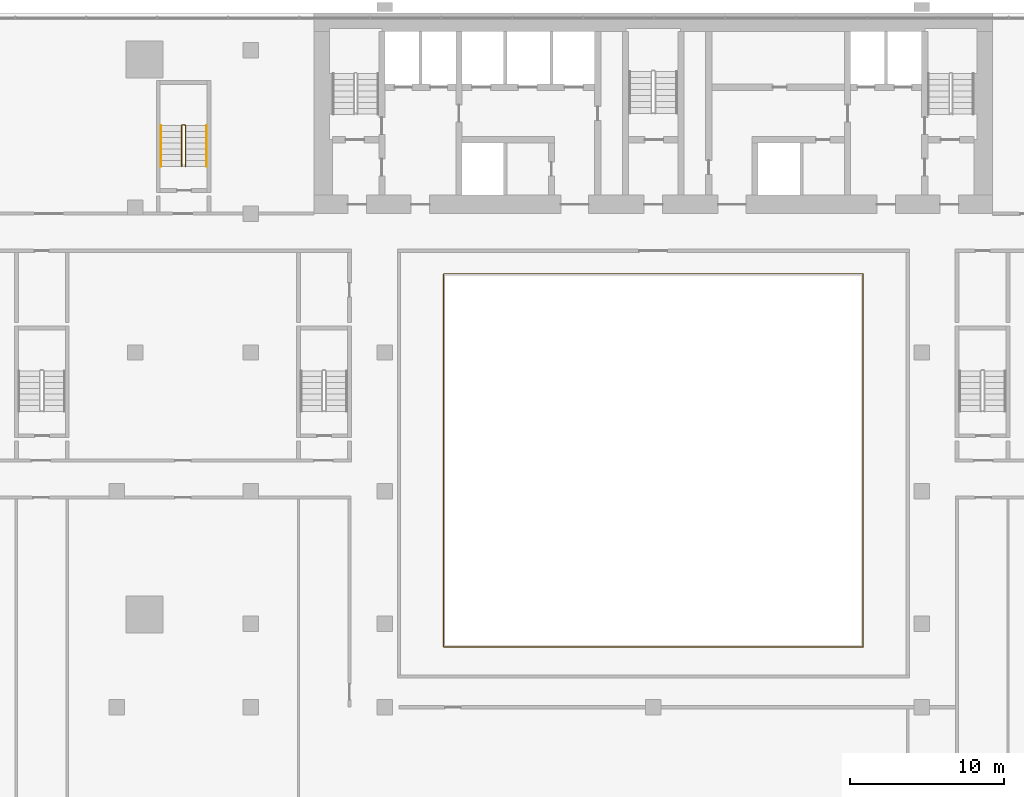
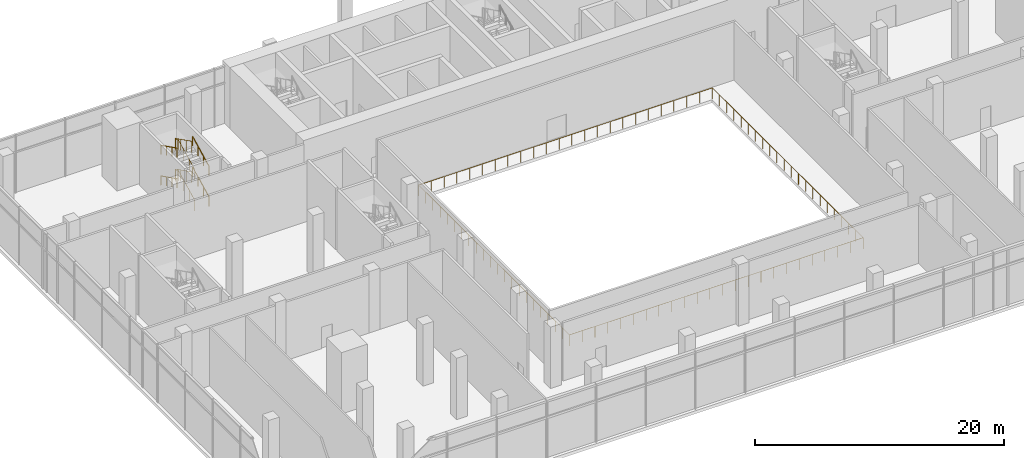
# One storey, part 19 of 22: 7 railings.
"""IFC4 building model written with IfcOpenShell, lengths in metres."""

from ifc_helpers import new_model, si_unit, direction, frame, origin, origin_2d, place, context, subcontext, project, spatial, circle, extrude, material, type_object, element, save


model = new_model("IFC4")

# Units and contexts
model_context = context("Model", 3, precision=1e-05, world=origin(), true_north=direction((0.0, 1.0)))
body_context = subcontext(model_context, "Body", "Model", "MODEL_VIEW")
ifc_project = project(units=[si_unit("LENGTHUNIT", "METRE"), si_unit("AREAUNIT", "SQUARE_METRE"), si_unit("VOLUMEUNIT", "CUBIC_METRE"), si_unit("PLANEANGLEUNIT", "RADIAN"), si_unit("MASSUNIT", "GRAM", prefix="KILO")], contexts=[model_context])

# Site, building, storey
site_placement = place(None, origin())
site = spatial("IfcSite", under=ifc_project, at=site_placement, CompositionType="ELEMENT")
building_placement = place(site_placement, origin())
building = spatial("IfcBuilding", under=site, at=building_placement, Name="Bicima Exchange Tower", CompositionType="ELEMENT")
storey_placement = place(building_placement, frame((0.0, 0.0, 14.0)))
storey = spatial("IfcBuildingStorey", under=building, at=storey_placement, Name="L02", CompositionType="ELEMENT", Elevation=14.0)

# Railings
ifc_material = material(Name="Stainless steel", Category="steel")
railing_type_1 = type_object("IfcRailingType", Name="Gallery guard 1100", PredefinedType="GUARDRAIL", material=ifc_material)
railing_1_placement = place(storey_placement, frame((-13.60009765625, -41.10009765625, 0.0)))
element("IfcRailing", 1, at=railing_1_placement, inside=storey, type_object=railing_type_1, Name="Exchange hall gallery guard", PredefinedType="GUARDRAIL", context=body_context, shape_type="SweptSolid", body=[
    extrude(circle(Radius=0.02392578125, at=origin_2d()), frame((0.0, 0.0, 1.076171875), z_axis=(1.0, 0.0, 0.0), x_axis=(0.0, 1.0, 0.0)), (0.0, 0.0, 1.0), 27.2001953125),
    extrude(circle(Radius=0.02392578125, at=origin_2d()), frame((27.2001953125, 0.0, 1.076171875), z_axis=(0.0, 1.0, 0.0), x_axis=(-1.0, 0.0, 0.0)), (0.0, 0.0, 1.0), 24.2001953125),
    extrude(circle(Radius=0.02392578125, at=origin_2d()), frame((27.2001953125, 24.2001953125, 1.076171875), z_axis=(-1.0, 0.0, 0.0), x_axis=(0.0, -1.0, 0.0)), (0.0, 0.0, 1.0), 27.2001953125),
    extrude(circle(Radius=0.02392578125, at=origin_2d()), frame((0.0, 24.2001953125, 1.076171875), z_axis=(0.0, -1.0, 0.0), x_axis=(1.0, 0.0, 0.0)), (0.0, 0.0, 1.0), 24.2001953125),
    extrude(circle(Radius=0.02099609375, at=origin_2d()), origin(), (0.0, 0.0, 1.0), 1.052001953125),
    extrude(circle(Radius=0.02099609375, at=origin_2d()), frame((1.1826171875, 0.0, 0.0)), (0.0, 0.0, 1.0), 1.052001953125),
    extrude(circle(Radius=0.02099609375, at=origin_2d()), frame((2.365234375, 0.0, 0.0)), (0.0, 0.0, 1.0), 1.052001953125),
    extrude(circle(Radius=0.02099609375, at=origin_2d()), frame((3.5478515625, 0.0, 0.0)), (0.0, 0.0, 1.0), 1.052001953125),
    extrude(circle(Radius=0.02099609375, at=origin_2d()), frame((4.73046875, 0.0, 0.0)), (0.0, 0.0, 1.0), 1.052001953125),
    extrude(circle(Radius=0.02099609375, at=origin_2d()), frame((5.9130859375, 0.0, 0.0)), (0.0, 0.0, 1.0), 1.052001953125),
    extrude(circle(Radius=0.02099609375, at=origin_2d()), frame((7.095703125, 0.0, 0.0)), (0.0, 0.0, 1.0), 1.052001953125),
    extrude(circle(Radius=0.02099609375, at=origin_2d()), frame((8.2783203125, 0.0, 0.0)), (0.0, 0.0, 1.0), 1.052001953125),
    extrude(circle(Radius=0.02099609375, at=origin_2d()), frame((9.4609375, 0.0, 0.0)), (0.0, 0.0, 1.0), 1.052001953125),
    extrude(circle(Radius=0.02099609375, at=origin_2d()), frame((10.6435546875, 0.0, 0.0)), (0.0, 0.0, 1.0), 1.052001953125),
    extrude(circle(Radius=0.02099609375, at=origin_2d()), frame((11.826171875, 0.0, 0.0)), (0.0, 0.0, 1.0), 1.052001953125),
    extrude(circle(Radius=0.02099609375, at=origin_2d()), frame((13.0087890625, 0.0, 0.0)), (0.0, 0.0, 1.0), 1.052001953125),
    extrude(circle(Radius=0.02099609375, at=origin_2d()), frame((14.19140625, 0.0, 0.0)), (0.0, 0.0, 1.0), 1.052001953125),
    extrude(circle(Radius=0.02099609375, at=origin_2d()), frame((15.3740234375, 0.0, 0.0)), (0.0, 0.0, 1.0), 1.052001953125),
    extrude(circle(Radius=0.02099609375, at=origin_2d()), frame((16.556640625, 0.0, 0.0)), (0.0, 0.0, 1.0), 1.052001953125),
    extrude(circle(Radius=0.02099609375, at=origin_2d()), frame((17.7392578125, 0.0, 0.0)), (0.0, 0.0, 1.0), 1.052001953125),
    extrude(circle(Radius=0.02099609375, at=origin_2d()), frame((18.921875, 0.0, 0.0)), (0.0, 0.0, 1.0), 1.052001953125),
    extrude(circle(Radius=0.02099609375, at=origin_2d()), frame((20.1044921875, 0.0, 0.0)), (0.0, 0.0, 1.0), 1.052001953125),
    extrude(circle(Radius=0.02099609375, at=origin_2d()), frame((21.287109375, 0.0, 0.0)), (0.0, 0.0, 1.0), 1.052001953125),
    extrude(circle(Radius=0.02099609375, at=origin_2d()), frame((22.4697265625, 0.0, 0.0)), (0.0, 0.0, 1.0), 1.052001953125),
    extrude(circle(Radius=0.02099609375, at=origin_2d()), frame((23.65234375, 0.0, 0.0)), (0.0, 0.0, 1.0), 1.052001953125),
    extrude(circle(Radius=0.02099609375, at=origin_2d()), frame((24.8349609375, 0.0, 0.0)), (0.0, 0.0, 1.0), 1.052001953125),
    extrude(circle(Radius=0.02099609375, at=origin_2d()), frame((26.017578125, 0.0, 0.0)), (0.0, 0.0, 1.0), 1.052001953125),
    extrude(circle(Radius=0.02099609375, at=origin_2d()), frame((27.2001953125, 0.0, 0.0)), (0.0, 0.0, 1.0), 1.052001953125),
    extrude(circle(Radius=0.02099609375, at=origin_2d()), frame((27.2001953125, 1.15234375, 0.0)), (0.0, 0.0, 1.0), 1.052001953125),
    extrude(circle(Radius=0.02099609375, at=origin_2d()), frame((27.2001953125, 2.3046875, 0.0)), (0.0, 0.0, 1.0), 1.052001953125),
    extrude(circle(Radius=0.02099609375, at=origin_2d()), frame((27.2001953125, 3.457275390625, 0.0)), (0.0, 0.0, 1.0), 1.052001953125),
    extrude(circle(Radius=0.02099609375, at=origin_2d()), frame((27.2001953125, 4.609619140625, 0.0)), (0.0, 0.0, 1.0), 1.052001953125),
    extrude(circle(Radius=0.02099609375, at=origin_2d()), frame((27.2001953125, 5.761962890625, 0.0)), (0.0, 0.0, 1.0), 1.052001953125),
    extrude(circle(Radius=0.02099609375, at=origin_2d()), frame((27.2001953125, 6.914306640625, 0.0)), (0.0, 0.0, 1.0), 1.052001953125),
    extrude(circle(Radius=0.02099609375, at=origin_2d()), frame((27.2001953125, 8.066650390625, 0.0)), (0.0, 0.0, 1.0), 1.052001953125),
    extrude(circle(Radius=0.02099609375, at=origin_2d()), frame((27.2001953125, 9.21923828125, 0.0)), (0.0, 0.0, 1.0), 1.052001953125),
    extrude(circle(Radius=0.02099609375, at=origin_2d()), frame((27.2001953125, 10.37158203125, 0.0)), (0.0, 0.0, 1.0), 1.052001953125),
    extrude(circle(Radius=0.02099609375, at=origin_2d()), frame((27.2001953125, 11.52392578125, 0.0)), (0.0, 0.0, 1.0), 1.052001953125),
    extrude(circle(Radius=0.02099609375, at=origin_2d()), frame((27.2001953125, 12.67626953125, 0.0)), (0.0, 0.0, 1.0), 1.052001953125),
    extrude(circle(Radius=0.02099609375, at=origin_2d()), frame((27.2001953125, 13.82861328125, 0.0)), (0.0, 0.0, 1.0), 1.052001953125),
    extrude(circle(Radius=0.02099609375, at=origin_2d()), frame((27.2001953125, 14.98095703125, 0.0)), (0.0, 0.0, 1.0), 1.052001953125),
    extrude(circle(Radius=0.02099609375, at=origin_2d()), frame((27.2001953125, 16.133544921875, 0.0)), (0.0, 0.0, 1.0), 1.052001953125),
    extrude(circle(Radius=0.02099609375, at=origin_2d()), frame((27.2001953125, 17.285888671875, 0.0)), (0.0, 0.0, 1.0), 1.052001953125),
    extrude(circle(Radius=0.02099609375, at=origin_2d()), frame((27.2001953125, 18.438232421875, 0.0)), (0.0, 0.0, 1.0), 1.052001953125),
    extrude(circle(Radius=0.02099609375, at=origin_2d()), frame((27.2001953125, 19.590576171875, 0.0)), (0.0, 0.0, 1.0), 1.052001953125),
    extrude(circle(Radius=0.02099609375, at=origin_2d()), frame((27.2001953125, 20.742919921875, 0.0)), (0.0, 0.0, 1.0), 1.052001953125),
    extrude(circle(Radius=0.02099609375, at=origin_2d()), frame((27.2001953125, 21.8955078125, 0.0)), (0.0, 0.0, 1.0), 1.052001953125),
    extrude(circle(Radius=0.02099609375, at=origin_2d()), frame((27.2001953125, 23.0478515625, 0.0)), (0.0, 0.0, 1.0), 1.052001953125),
    extrude(circle(Radius=0.02099609375, at=origin_2d()), frame((27.2001953125, 24.2001953125, 0.0)), (0.0, 0.0, 1.0), 1.052001953125),
    extrude(circle(Radius=0.02099609375, at=origin_2d()), frame((26.017578125, 24.2001953125, 0.0)), (0.0, 0.0, 1.0), 1.052001953125),
    extrude(circle(Radius=0.02099609375, at=origin_2d()), frame((24.8349609375, 24.2001953125, 0.0)), (0.0, 0.0, 1.0), 1.052001953125),
    extrude(circle(Radius=0.02099609375, at=origin_2d()), frame((23.65234375, 24.2001953125, 0.0)), (0.0, 0.0, 1.0), 1.052001953125),
    extrude(circle(Radius=0.02099609375, at=origin_2d()), frame((22.4697265625, 24.2001953125, 0.0)), (0.0, 0.0, 1.0), 1.052001953125),
    extrude(circle(Radius=0.02099609375, at=origin_2d()), frame((21.287109375, 24.2001953125, 0.0)), (0.0, 0.0, 1.0), 1.052001953125),
    extrude(circle(Radius=0.02099609375, at=origin_2d()), frame((20.1044921875, 24.2001953125, 0.0)), (0.0, 0.0, 1.0), 1.052001953125),
    extrude(circle(Radius=0.02099609375, at=origin_2d()), frame((18.921875, 24.2001953125, 0.0)), (0.0, 0.0, 1.0), 1.052001953125),
    extrude(circle(Radius=0.02099609375, at=origin_2d()), frame((17.7392578125, 24.2001953125, 0.0)), (0.0, 0.0, 1.0), 1.052001953125),
    extrude(circle(Radius=0.02099609375, at=origin_2d()), frame((16.556640625, 24.2001953125, 0.0)), (0.0, 0.0, 1.0), 1.052001953125),
    extrude(circle(Radius=0.02099609375, at=origin_2d()), frame((15.3740234375, 24.2001953125, 0.0)), (0.0, 0.0, 1.0), 1.052001953125),
    extrude(circle(Radius=0.02099609375, at=origin_2d()), frame((14.19140625, 24.2001953125, 0.0)), (0.0, 0.0, 1.0), 1.052001953125),
    extrude(circle(Radius=0.02099609375, at=origin_2d()), frame((13.0087890625, 24.2001953125, 0.0)), (0.0, 0.0, 1.0), 1.052001953125),
    extrude(circle(Radius=0.02099609375, at=origin_2d()), frame((11.826171875, 24.2001953125, 0.0)), (0.0, 0.0, 1.0), 1.052001953125),
    extrude(circle(Radius=0.02099609375, at=origin_2d()), frame((10.6435546875, 24.2001953125, 0.0)), (0.0, 0.0, 1.0), 1.052001953125),
    extrude(circle(Radius=0.02099609375, at=origin_2d()), frame((9.4609375, 24.2001953125, 0.0)), (0.0, 0.0, 1.0), 1.052001953125),
    extrude(circle(Radius=0.02099609375, at=origin_2d()), frame((8.2783203125, 24.2001953125, 0.0)), (0.0, 0.0, 1.0), 1.052001953125),
    extrude(circle(Radius=0.02099609375, at=origin_2d()), frame((7.095703125, 24.2001953125, 0.0)), (0.0, 0.0, 1.0), 1.052001953125),
    extrude(circle(Radius=0.02099609375, at=origin_2d()), frame((5.9130859375, 24.2001953125, 0.0)), (0.0, 0.0, 1.0), 1.052001953125),
    extrude(circle(Radius=0.02099609375, at=origin_2d()), frame((4.73046875, 24.2001953125, 0.0)), (0.0, 0.0, 1.0), 1.052001953125),
    extrude(circle(Radius=0.02099609375, at=origin_2d()), frame((3.5478515625, 24.2001953125, 0.0)), (0.0, 0.0, 1.0), 1.052001953125),
    extrude(circle(Radius=0.02099609375, at=origin_2d()), frame((2.365234375, 24.2001953125, 0.0)), (0.0, 0.0, 1.0), 1.052001953125),
    extrude(circle(Radius=0.02099609375, at=origin_2d()), frame((1.1826171875, 24.2001953125, 0.0)), (0.0, 0.0, 1.0), 1.052001953125),
    extrude(circle(Radius=0.02099609375, at=origin_2d()), frame((0.0, 24.2001953125, 0.0)), (0.0, 0.0, 1.0), 1.052001953125),
    extrude(circle(Radius=0.02099609375, at=origin_2d()), frame((0.0, 23.0478515625, 0.0)), (0.0, 0.0, 1.0), 1.052001953125),
    extrude(circle(Radius=0.02099609375, at=origin_2d()), frame((0.0, 21.8955078125, 0.0)), (0.0, 0.0, 1.0), 1.052001953125),
    extrude(circle(Radius=0.02099609375, at=origin_2d()), frame((0.0, 20.742919921875, 0.0)), (0.0, 0.0, 1.0), 1.052001953125),
    extrude(circle(Radius=0.02099609375, at=origin_2d()), frame((0.0, 19.590576171875, 0.0)), (0.0, 0.0, 1.0), 1.052001953125),
    extrude(circle(Radius=0.02099609375, at=origin_2d()), frame((0.0, 18.438232421875, 0.0)), (0.0, 0.0, 1.0), 1.052001953125),
    extrude(circle(Radius=0.02099609375, at=origin_2d()), frame((0.0, 17.285888671875, 0.0)), (0.0, 0.0, 1.0), 1.052001953125),
    extrude(circle(Radius=0.02099609375, at=origin_2d()), frame((0.0, 16.133544921875, 0.0)), (0.0, 0.0, 1.0), 1.052001953125),
    extrude(circle(Radius=0.02099609375, at=origin_2d()), frame((0.0, 14.98095703125, 0.0)), (0.0, 0.0, 1.0), 1.052001953125),
    extrude(circle(Radius=0.02099609375, at=origin_2d()), frame((0.0, 13.82861328125, 0.0)), (0.0, 0.0, 1.0), 1.052001953125),
    extrude(circle(Radius=0.02099609375, at=origin_2d()), frame((0.0, 12.67626953125, 0.0)), (0.0, 0.0, 1.0), 1.052001953125),
    extrude(circle(Radius=0.02099609375, at=origin_2d()), frame((0.0, 11.52392578125, 0.0)), (0.0, 0.0, 1.0), 1.052001953125),
    extrude(circle(Radius=0.02099609375, at=origin_2d()), frame((0.0, 10.37158203125, 0.0)), (0.0, 0.0, 1.0), 1.052001953125),
    extrude(circle(Radius=0.02099609375, at=origin_2d()), frame((0.0, 9.21923828125, 0.0)), (0.0, 0.0, 1.0), 1.052001953125),
    extrude(circle(Radius=0.02099609375, at=origin_2d()), frame((0.0, 8.066650390625, 0.0)), (0.0, 0.0, 1.0), 1.052001953125),
    extrude(circle(Radius=0.02099609375, at=origin_2d()), frame((0.0, 6.914306640625, 0.0)), (0.0, 0.0, 1.0), 1.052001953125),
    extrude(circle(Radius=0.02099609375, at=origin_2d()), frame((0.0, 5.761962890625, 0.0)), (0.0, 0.0, 1.0), 1.052001953125),
    extrude(circle(Radius=0.02099609375, at=origin_2d()), frame((0.0, 4.609619140625, 0.0)), (0.0, 0.0, 1.0), 1.052001953125),
    extrude(circle(Radius=0.02099609375, at=origin_2d()), frame((0.0, 3.457275390625, 0.0)), (0.0, 0.0, 1.0), 1.052001953125),
    extrude(circle(Radius=0.02099609375, at=origin_2d()), frame((0.0, 2.3046875, 0.0)), (0.0, 0.0, 1.0), 1.052001953125),
    extrude(circle(Radius=0.02099609375, at=origin_2d()), frame((0.0, 1.15234375, 0.0)), (0.0, 0.0, 1.0), 1.052001953125),
])
railing_type_2 = type_object("IfcRailingType", Name="Stair guard 1100", PredefinedType="GUARDRAIL", material=ifc_material)
railing_2_placement = place(storey_placement, frame((-30.324951171875, -9.925048828125, 0.1875)))
element("IfcRailing", 2, at=railing_2_placement, inside=storey, type_object=railing_type_2, Name="L02 ST-WW stair guard 1", PredefinedType="GUARDRAIL", context=body_context, shape_type="SweptSolid", body=[
    extrude(circle(Radius=0.02392578125, at=origin_2d()), frame((0.0, 0.0, 1.076171875), z_axis=(0.0, 0.894775759346, 0.446515778543), x_axis=(-1.0, 0.0, 0.0)), (0.0, 0.0, 1.0), 2.939453125),
    extrude(circle(Radius=0.02392578125, at=origin_2d()), frame((0.0, 2.630126953125, 2.388671875), z_axis=(-0.708833529934, 0.705375805398, 0.0), x_axis=(-0.705375805398, -0.708833529934, 0.0)), (0.0, 0.0, 1.0), 0.070556640625),
    extrude(circle(Radius=0.02392578125, at=origin_2d()), frame((-0.050048828125, 2.679931640625, 2.388671875), z_axis=(-1.0, 0.0, 0.0), x_axis=(0.0, -1.0, 0.0)), (0.0, 0.0, 1.0), 0.14990234375),
    extrude(circle(Radius=0.02392578125, at=origin_2d()), frame((-0.199951171875, 2.679931640625, 2.388671875), z_axis=(-0.249802250048, -0.248583702486, 0.935844527007), x_axis=(0.705375805398, -0.708833529934, 0.0)), (0.0, 0.0, 1.0), 0.200439453125),
    extrude(circle(Radius=0.02392578125, at=origin_2d()), frame((-0.25, 2.630126953125, 2.576171875), z_axis=(0.0, -0.894775759346, 0.446515778543), x_axis=(1.0, 0.0, 0.0)), (0.0, 0.0, 1.0), 2.939453125),
    extrude(circle(Radius=0.02099609375, at=origin_2d()), origin(), (0.0, 0.0, 1.0), 1.052001953125),
    extrude(circle(Radius=0.02099609375, at=origin_2d()), frame((0.0, 0.876708984375, 0.4375)), (0.0, 0.0, 1.0), 1.052001953125),
    extrude(circle(Radius=0.02099609375, at=origin_2d()), frame((0.0, 1.75341796875, 0.875)), (0.0, 0.0, 1.0), 1.052001953125),
    extrude(circle(Radius=0.02099609375, at=origin_2d()), frame((0.0, 2.630126953125, 1.3125)), (0.0, 0.0, 1.0), 1.052001953125),
    extrude(circle(Radius=0.02099609375, at=origin_2d()), frame((-0.050048828125, 2.679931640625, 1.3125)), (0.0, 0.0, 1.0), 1.052001953125),
    extrude(circle(Radius=0.02099609375, at=origin_2d()), frame((-0.199951171875, 2.679931640625, 1.3125)), (0.0, 0.0, 1.0), 1.052001953125),
    extrude(circle(Radius=0.02099609375, at=origin_2d()), frame((-0.25, 2.630126953125, 1.5)), (0.0, 0.0, 1.0), 1.052001953125),
    extrude(circle(Radius=0.02099609375, at=origin_2d()), frame((-0.25, 1.75341796875, 1.9375)), (0.0, 0.0, 1.0), 1.052001953125),
    extrude(circle(Radius=0.02099609375, at=origin_2d()), frame((-0.25, 0.876708984375, 2.375)), (0.0, 0.0, 1.0), 1.052001953125),
    extrude(circle(Radius=0.02099609375, at=origin_2d()), frame((-0.25, 0.0, 2.8125)), (0.0, 0.0, 1.0), 1.052001953125),
])
railing_3_placement = place(storey_placement, frame((-30.324951171875, -9.925048828125, 3.1875)))
element("IfcRailing", 3, at=railing_3_placement, inside=storey, type_object=railing_type_2, Name="L02 ST-WW stair guard 2", PredefinedType="GUARDRAIL", context=body_context, shape_type="SweptSolid", body=[
    extrude(circle(Radius=0.02392578125, at=origin_2d()), frame((0.0, 0.0, 1.076171875), z_axis=(0.0, 0.894775759346, 0.446515778543), x_axis=(-1.0, 0.0, 0.0)), (0.0, 0.0, 1.0), 2.939453125),
    extrude(circle(Radius=0.02392578125, at=origin_2d()), frame((0.0, 2.630126953125, 2.388671875), z_axis=(-0.708833529934, 0.705375805398, 0.0), x_axis=(-0.705375805398, -0.708833529934, 0.0)), (0.0, 0.0, 1.0), 0.070556640625),
    extrude(circle(Radius=0.02392578125, at=origin_2d()), frame((-0.050048828125, 2.679931640625, 2.388671875), z_axis=(-1.0, 0.0, 0.0), x_axis=(0.0, -1.0, 0.0)), (0.0, 0.0, 1.0), 0.14990234375),
    extrude(circle(Radius=0.02392578125, at=origin_2d()), frame((-0.199951171875, 2.679931640625, 2.388671875), z_axis=(-0.249802250048, -0.248583702486, 0.935844527007), x_axis=(0.705375805398, -0.708833529934, 0.0)), (0.0, 0.0, 1.0), 0.200439453125),
    extrude(circle(Radius=0.02392578125, at=origin_2d()), frame((-0.25, 2.630126953125, 2.576171875), z_axis=(0.0, -0.894775759346, 0.446515778543), x_axis=(1.0, 0.0, 0.0)), (0.0, 0.0, 1.0), 2.939453125),
    extrude(circle(Radius=0.02099609375, at=origin_2d()), origin(), (0.0, 0.0, 1.0), 1.052001953125),
    extrude(circle(Radius=0.02099609375, at=origin_2d()), frame((0.0, 0.876708984375, 0.4375)), (0.0, 0.0, 1.0), 1.052001953125),
    extrude(circle(Radius=0.02099609375, at=origin_2d()), frame((0.0, 1.75341796875, 0.875)), (0.0, 0.0, 1.0), 1.052001953125),
    extrude(circle(Radius=0.02099609375, at=origin_2d()), frame((0.0, 2.630126953125, 1.3125)), (0.0, 0.0, 1.0), 1.052001953125),
    extrude(circle(Radius=0.02099609375, at=origin_2d()), frame((-0.050048828125, 2.679931640625, 1.3125)), (0.0, 0.0, 1.0), 1.052001953125),
    extrude(circle(Radius=0.02099609375, at=origin_2d()), frame((-0.199951171875, 2.679931640625, 1.3125)), (0.0, 0.0, 1.0), 1.052001953125),
    extrude(circle(Radius=0.02099609375, at=origin_2d()), frame((-0.25, 2.630126953125, 1.5)), (0.0, 0.0, 1.0), 1.052001953125),
    extrude(circle(Radius=0.02099609375, at=origin_2d()), frame((-0.25, 1.75341796875, 1.9375)), (0.0, 0.0, 1.0), 1.052001953125),
    extrude(circle(Radius=0.02099609375, at=origin_2d()), frame((-0.25, 0.876708984375, 2.375)), (0.0, 0.0, 1.0), 1.052001953125),
    extrude(circle(Radius=0.02099609375, at=origin_2d()), frame((-0.25, 0.0, 2.8125)), (0.0, 0.0, 1.0), 1.052001953125),
])
railing_type_3 = type_object("IfcRailingType", Name="Stair handrail 900", PredefinedType="HANDRAIL", material=ifc_material)
railing_4_placement = place(storey_placement, frame((-28.97509765625, -9.925048828125, 0.1875)))
element("IfcRailing", 4, at=railing_4_placement, inside=storey, type_object=railing_type_3, Name="L02 ST-WW stair handrail 1", PredefinedType="HANDRAIL", context=body_context, shape_type="SweptSolid", body=[
    extrude(circle(Radius=0.02392578125, at=origin_2d()), frame((0.0, 0.0, 0.8759765625), z_axis=(0.0, 0.894775759346, 0.446515778543), x_axis=(-1.0, 0.0, 0.0)), (0.0, 0.0, 1.0), 2.939453125),
    extrude(circle(Radius=0.02099609375, at=origin_2d()), origin(), (0.0, 0.0, 1.0), 0.851806640625),
    extrude(circle(Radius=0.02099609375, at=origin_2d()), frame((0.0, 0.876708984375, 0.4375)), (0.0, 0.0, 1.0), 0.851806640625),
    extrude(circle(Radius=0.02099609375, at=origin_2d()), frame((0.0, 1.75341796875, 0.875)), (0.0, 0.0, 1.0), 0.851806640625),
    extrude(circle(Radius=0.02099609375, at=origin_2d()), frame((0.0, 2.630126953125, 1.3125)), (0.0, 0.0, 1.0), 0.851806640625),
])
railing_5_placement = place(storey_placement, frame((-31.925048828125, -7.294921875, 1.6875)))
element("IfcRailing", 5, at=railing_5_placement, inside=storey, type_object=railing_type_3, Name="L02 ST-WW stair handrail 2", PredefinedType="HANDRAIL", context=body_context, shape_type="SweptSolid", body=[
    extrude(circle(Radius=0.02392578125, at=origin_2d()), frame((0.0, 0.0, 0.8759765625), z_axis=(0.0, -0.894775759346, 0.446515778543), x_axis=(1.0, 0.0, 0.0)), (0.0, 0.0, 1.0), 2.939453125),
    extrude(circle(Radius=0.02099609375, at=origin_2d()), origin(), (0.0, 0.0, 1.0), 0.851806640625),
    extrude(circle(Radius=0.02099609375, at=origin_2d()), frame((0.0, -0.876708984375, 0.4375)), (0.0, 0.0, 1.0), 0.851806640625),
    extrude(circle(Radius=0.02099609375, at=origin_2d()), frame((0.0, -1.75341796875, 0.875)), (0.0, 0.0, 1.0), 0.851806640625),
    extrude(circle(Radius=0.02099609375, at=origin_2d()), frame((0.0, -2.630126953125, 1.3125)), (0.0, 0.0, 1.0), 0.851806640625),
])
railing_6_placement = place(storey_placement, frame((-28.97509765625, -9.925048828125, 3.1875)))
element("IfcRailing", 6, at=railing_6_placement, inside=storey, type_object=railing_type_3, Name="L02 ST-WW stair handrail 3", PredefinedType="HANDRAIL", context=body_context, shape_type="SweptSolid", body=[
    extrude(circle(Radius=0.02392578125, at=origin_2d()), frame((0.0, 0.0, 0.8759765625), z_axis=(0.0, 0.894775759346, 0.446515778543), x_axis=(-1.0, 0.0, 0.0)), (0.0, 0.0, 1.0), 2.939453125),
    extrude(circle(Radius=0.02099609375, at=origin_2d()), origin(), (0.0, 0.0, 1.0), 0.851806640625),
    extrude(circle(Radius=0.02099609375, at=origin_2d()), frame((0.0, 0.876708984375, 0.4375)), (0.0, 0.0, 1.0), 0.851806640625),
    extrude(circle(Radius=0.02099609375, at=origin_2d()), frame((0.0, 1.75341796875, 0.875)), (0.0, 0.0, 1.0), 0.851806640625),
    extrude(circle(Radius=0.02099609375, at=origin_2d()), frame((0.0, 2.630126953125, 1.3125)), (0.0, 0.0, 1.0), 0.851806640625),
])
railing_7_placement = place(storey_placement, frame((-31.925048828125, -7.294921875, 4.6875)))
element("IfcRailing", 7, at=railing_7_placement, inside=storey, type_object=railing_type_3, Name="L02 ST-WW stair handrail 4", PredefinedType="HANDRAIL", context=body_context, shape_type="SweptSolid", body=[
    extrude(circle(Radius=0.02392578125, at=origin_2d()), frame((0.0, 0.0, 0.8759765625), z_axis=(0.0, -0.894775759346, 0.446515778543), x_axis=(1.0, 0.0, 0.0)), (0.0, 0.0, 1.0), 2.939453125),
    extrude(circle(Radius=0.02099609375, at=origin_2d()), origin(), (0.0, 0.0, 1.0), 0.851806640625),
    extrude(circle(Radius=0.02099609375, at=origin_2d()), frame((0.0, -0.876708984375, 0.4375)), (0.0, 0.0, 1.0), 0.851806640625),
    extrude(circle(Radius=0.02099609375, at=origin_2d()), frame((0.0, -1.75341796875, 0.875)), (0.0, 0.0, 1.0), 0.851806640625),
    extrude(circle(Radius=0.02099609375, at=origin_2d()), frame((0.0, -2.630126953125, 1.3125)), (0.0, 0.0, 1.0), 0.851806640625),
])

save(model, "model.ifc")
